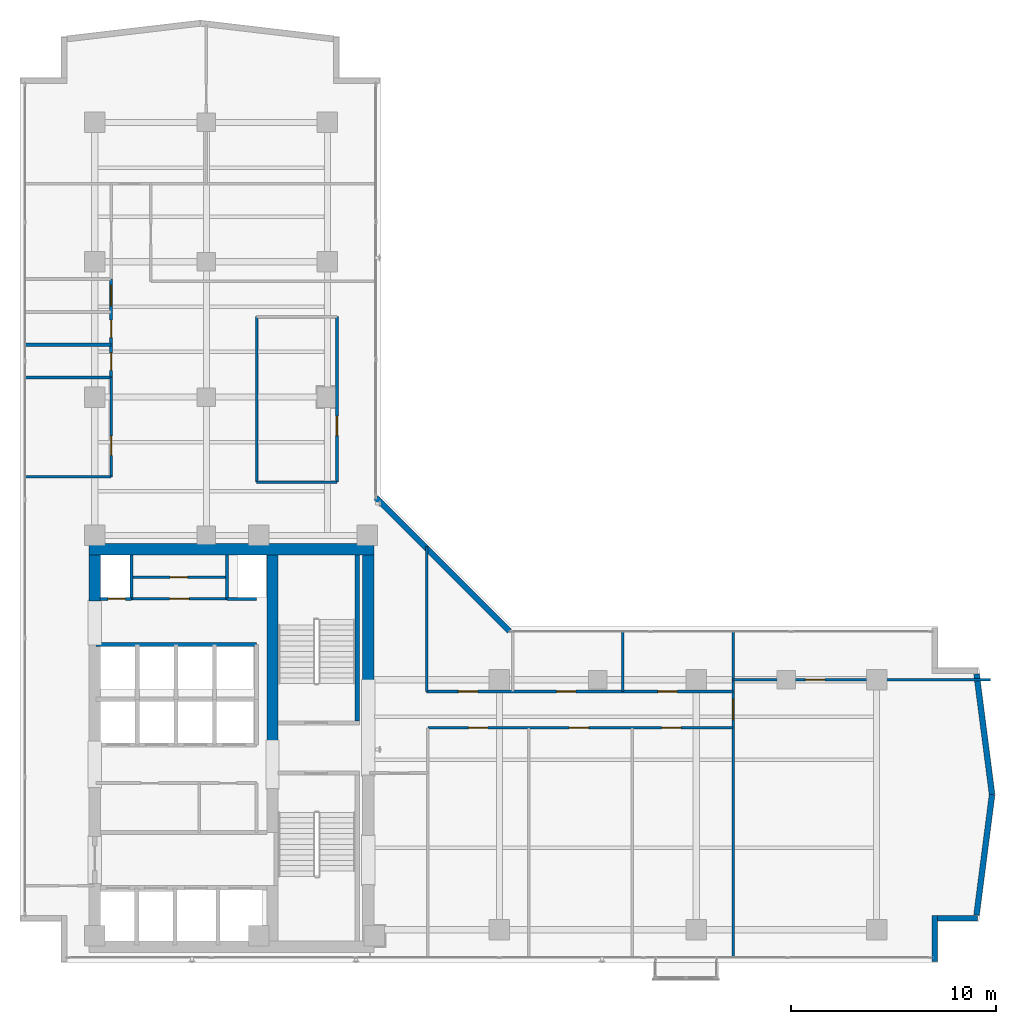
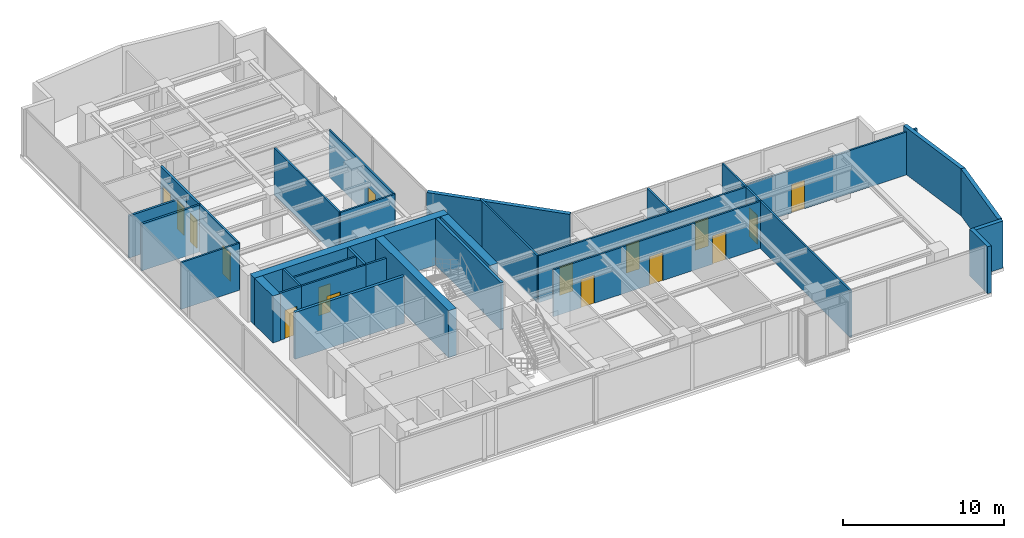
# One storey, part 18 of 24: 31 walls, 16 doors, 16 openings.
"""IFC4 building model written with IfcOpenShell, lengths in metres."""

from ifc_helpers import new_model, si_unit, direction, frame, frame_2d, origin, place, context, subcontext, project, spatial, rectangle, extrude, material, layer, layer_set, type_object, element, fill, save


model = new_model("IFC4")

# Units and contexts
model_context = context("Model", 3, precision=1e-05, world=origin(), true_north=direction((0.0, 1.0)))
body_context = subcontext(model_context, "Body", "Model", "MODEL_VIEW")
ifc_project = project(units=[si_unit("LENGTHUNIT", "METRE"), si_unit("AREAUNIT", "SQUARE_METRE"), si_unit("VOLUMEUNIT", "CUBIC_METRE"), si_unit("PLANEANGLEUNIT", "RADIAN"), si_unit("MASSUNIT", "GRAM", prefix="KILO")], contexts=[model_context])

# Site, building, storey
site_placement = place(None, origin())
site = spatial("IfcSite", under=ifc_project, at=site_placement, CompositionType="ELEMENT")
building_placement = place(site_placement, origin())
building = spatial("IfcBuilding", under=site, at=building_placement, Name="Kolvaren Waterfront Exchange", CompositionType="ELEMENT")
storey_placement = place(building_placement, frame((0.0, 0.0, 208.300048828125)))
storey = spatial("IfcBuildingStorey", under=building, at=storey_placement, Name="L53", CompositionType="ELEMENT", Elevation=208.300048828125)

# Walls
ifc_material_1 = material(Name="Precast concrete C40/50", Category="concrete")
ifc_layer_1 = layer(ifc_material_1, 0.280029296875, Name="Precast concrete C40/50")
ifc_layer_set_1 = layer_set([ifc_layer_1], Name="Precast concrete C40/50")
wall_type_1 = type_object("IfcWallType", Name="ARC-EXT-TERR-280", PredefinedType="SOLIDWALL", material=ifc_layer_set_1)
wall_1_placement = place(storey_placement, frame((48.43994140625, 3.659912109375, 0.0), z_axis=(0.0, 0.0, 1.0), x_axis=(0.0, 1.0, 0.0)))
element("IfcWall", 1, at=wall_1_placement, inside=storey, type_object=wall_type_1, Name="L53 notched corner spandrel pier SE-A", PredefinedType="SOLIDWALL", context=body_context, shape_type="SweptSolid", body=[
    extrude(rectangle(XDim=2.239990234375, YDim=0.280029296875, at=frame_2d((1.1201171875, 0.0))), origin(), (0.0, 0.0, 1.0), 3.56005859375),
])
wall_2_placement = place(storey_placement, frame((48.580078125, 5.760009765625, 0.0), z_axis=(0.0, 0.0, 1.0), x_axis=(1.0, 0.0, 0.0)))
element("IfcWall", 2, at=wall_2_placement, inside=storey, type_object=wall_type_1, Name="L53 notched corner spandrel pier SE-B", PredefinedType="SOLIDWALL", context=body_context, shape_type="SweptSolid", body=[
    extrude(rectangle(XDim=1.9599609375, YDim=0.280029296875, at=frame_2d((0.97998046875, 0.0))), origin(), (0.0, 0.0, 1.0), 3.56005859375),
])
wall_3_placement = place(storey_placement, frame((27.68505859375, 19.77490234375, 0.0), z_axis=(0.0, 0.0, 1.0), x_axis=(-0.707106781187, 0.707106781187, 0.0)))
element("IfcWall", 3, at=wall_3_placement, inside=storey, type_object=wall_type_1, Name="L53 notched corner spandrel pier ELBOW", PredefinedType="SOLIDWALL", context=body_context, shape_type="SweptSolid", body=[
    extrude(rectangle(XDim=9.20654296875, YDim=0.280029296875, at=frame_2d((4.603271484375, 0.0))), origin(), (0.0, 0.0, 1.0), 3.56005859375),
])
for number, where, z_axis, x_axis, name in (
    (4, (50.479736328125, 5.91796875, 0.0), (0.0, 0.0, 1.0), (0.127970031595, 0.991778035154, 0.0), "L53 east prow faceted facade wall 1"),
    (5, (51.23876953125, 11.79931640625, 0.0), (0.0, 0.0, 1.0), (-0.127970031595, 0.991778035154, 0.0), "L53 east prow faceted facade wall 2"),
):
    element("IfcWall", number, at=place(storey_placement, frame(where, z_axis=z_axis, x_axis=x_axis)), inside=storey, type_object=wall_type_1, Name=name, PredefinedType="SOLIDWALL", context=body_context, shape_type="SweptSolid", body=[
        extrude(rectangle(XDim=5.931396484375, YDim=0.280029296875, at=frame_2d((2.9658203125, 0.0))), origin(), (0.0, 0.0, 1.0), 3.56005859375),
    ])

# Wall, opening, door
ifc_material_2 = material(Name="Acoustic gypsum steel stud", Category="steel")
ifc_layer_2 = layer(ifc_material_2, 0.125, Name="Acoustic gypsum steel stud")
ifc_layer_set_2 = layer_set([ifc_layer_2], Name="Acoustic gypsum steel stud")
wall_type_2 = type_object("IfcWallType", Name="ARC-PART-125", PredefinedType="PARTITIONING", material=ifc_layer_set_2)
wall_4_placement = place(storey_placement, frame((9.25, 21.35009765625, 0.0), z_axis=(0.0, 0.0, 1.0), x_axis=(1.0, 0.0, 0.0)))
wall_4 = element("IfcWall", 6, at=wall_4_placement, inside=storey, type_object=wall_type_2, Name="L53 interior wall PW-L53-SVC-EX-S", PredefinedType="PARTITIONING", context=body_context, shape_type="SweptSolid", body=[
    extrude(rectangle(XDim=4.64990234375, YDim=0.125, at=frame_2d((2.324951171875, 0.0))), origin(), (0.0, 0.0, 1.0), 3.56005859375),
])
opening_1_placement = place(wall_4_placement, frame((1.85009765625, 0.0, 0.0)))
opening_1 = element("IfcOpeningElement", 7, at=opening_1_placement, cuts=wall_4, Name="Opening D02", PredefinedType="OPENING", context=body_context, shape_type="SweptSolid", body=[
    extrude(rectangle(XDim=0.949951171875, YDim=2.14990234375, at=frame_2d((0.47509765625, 1.074951171875))), frame((0.0, 0.072509765625, 0.0), z_axis=(0.0, -1.0, 0.0), x_axis=(1.0, 0.0, 0.0)), (0.0, 0.0, 1.0), 0.14501953125),
])
ifc_material_3 = material(Name="Oak veneer acoustic timber", Category="wood")
door_type_1 = type_object("IfcDoorType", Name="ARC-DR-950", OperationType="NOTDEFINED", PredefinedType="DOOR", material=ifc_material_3)
door_1_placement = place(opening_1_placement, origin())
door_1 = element("IfcDoor", 8, at=door_1_placement, inside=storey, type_object=door_type_1, Name="L53 door DR-L53-SVC-DR-1 (D02)", OperationType="SINGLE_SWING_LEFT", OverallHeight=2.14990234375, OverallWidth=0.949951171875, PredefinedType="DOOR", context=body_context, shape_type="SweptSolid", body=[
    extrude(rectangle(XDim=0.949951171875, YDim=2.14990234375, at=frame_2d((0.47509765625, 1.074951171875))), frame((0.0, 0.02490234375, 0.0), z_axis=(0.0, -1.0, 0.0), x_axis=(1.0, 0.0, 0.0)), (0.0, 0.0, 1.0), 0.050048828125),
])
fill(opening_1, door_1)

wall_5_placement = place(storey_placement, frame((9.25, 22.39990234375, 0.0), z_axis=(0.0, 0.0, 1.0), x_axis=(1.0, 0.0, 0.0)))
wall_5 = element("IfcWall", 9, at=wall_5_placement, inside=storey, type_object=wall_type_2, Name="L53 interior wall PW-L53-SVC-EX-HS", PredefinedType="PARTITIONING", context=body_context, shape_type="SweptSolid", body=[
    extrude(rectangle(XDim=4.64990234375, YDim=0.125, at=frame_2d((2.324951171875, 0.0))), origin(), (0.0, 0.0, 1.0), 3.56005859375),
])
opening_2_placement = place(wall_5_placement, frame((1.875, 0.0, 0.0)))
opening_2 = element("IfcOpeningElement", 10, at=opening_2_placement, cuts=wall_5, Name="Opening D01", PredefinedType="OPENING", context=body_context, shape_type="SweptSolid", body=[
    extrude(rectangle(XDim=0.85009765625, YDim=2.14990234375, at=frame_2d((0.425048828125, 1.074951171875))), frame((0.0, 0.072509765625, 0.0), z_axis=(0.0, -1.0, 0.0), x_axis=(1.0, 0.0, 0.0)), (0.0, 0.0, 1.0), 0.14501953125),
])
ifc_material_4 = material(Name="Oak veneer timber leaf", Category="wood")
door_type_2 = type_object("IfcDoorType", Name="ARC-DR-900", OperationType="NOTDEFINED", PredefinedType="DOOR", material=ifc_material_4)
door_2_placement = place(opening_2_placement, origin())
door_2 = element("IfcDoor", 11, at=door_2_placement, inside=storey, type_object=door_type_2, Name="L53 door DR-L53-SVC-DR-2 (D01)", OperationType="SINGLE_SWING_RIGHT", OverallHeight=2.14990234375, OverallWidth=0.85009765625, PredefinedType="DOOR", context=body_context, shape_type="SweptSolid", body=[
    extrude(rectangle(XDim=0.85009765625, YDim=2.14990234375, at=frame_2d((0.425048828125, 1.074951171875))), frame((0.0, 0.02490234375, 0.0), z_axis=(0.0, -1.0, 0.0), x_axis=(1.0, 0.0, 0.0)), (0.0, 0.0, 1.0), 0.050048828125),
])
fill(opening_2, door_2)

# Walls
wall_6_placement = place(storey_placement, frame((15.35009765625, 27.050048828125, 0.0), z_axis=(0.0, 0.0, 1.0), x_axis=(1.0, 0.0, 0.0)))
element("IfcWall", 12, at=wall_6_placement, inside=storey, type_object=wall_type_2, Name="L53 interior wall PW-L53-ISL-S", PredefinedType="PARTITIONING", context=body_context, shape_type="SweptSolid", body=[
    extrude(rectangle(XDim=3.919921875, YDim=0.125, at=frame_2d((1.9599609375, 0.0))), origin(), (0.0, 0.0, 1.0), 3.56005859375),
])
wall_7_placement = place(storey_placement, frame((15.35009765625, 27.050048828125, 0.0), z_axis=(0.0, 0.0, 1.0), x_axis=(0.0, 1.0, 0.0)))
element("IfcWall", 13, at=wall_7_placement, inside=storey, type_object=wall_type_2, Name="L53 interior wall PW-L53-ISL-W", PredefinedType="PARTITIONING", context=body_context, shape_type="SweptSolid", body=[
    extrude(rectangle(XDim=8.070068359375, YDim=0.125, at=frame_2d((4.03515625, 0.0))), origin(), (0.0, 0.0, 1.0), 3.56005859375),
])

# Wall, opening, door
wall_8_placement = place(storey_placement, frame((19.27001953125, 27.050048828125, 0.0), z_axis=(0.0, 0.0, 1.0), x_axis=(0.0, 1.0, 0.0)))
wall_8 = element("IfcWall", 14, at=wall_8_placement, inside=storey, type_object=wall_type_2, Name="L53 interior wall PW-L53-ISL-E", PredefinedType="PARTITIONING", context=body_context, shape_type="SweptSolid", body=[
    extrude(rectangle(XDim=8.070068359375, YDim=0.125, at=frame_2d((4.03515625, 0.0))), origin(), (0.0, 0.0, 1.0), 3.56005859375),
])
opening_3_placement = place(wall_8_placement, frame((2.27001953125, 0.0, 0.0)))
opening_3 = element("IfcOpeningElement", 15, at=opening_3_placement, cuts=wall_8, Name="Opening D02", PredefinedType="OPENING", context=body_context, shape_type="SweptSolid", body=[
    extrude(rectangle(XDim=0.949951171875, YDim=2.14990234375, at=frame_2d((0.47509765625, 1.074951171875))), frame((0.0, 0.072509765625, 0.0), z_axis=(0.0, -1.0, 0.0), x_axis=(1.0, 0.0, 0.0)), (0.0, 0.0, 1.0), 0.14501953125),
])
door_3_placement = place(opening_3_placement, origin())
door_3 = element("IfcDoor", 16, at=door_3_placement, inside=storey, type_object=door_type_1, Name="L53 door DR-L53-ISL-D (D02)", OperationType="SINGLE_SWING_LEFT", OverallHeight=2.14990234375, OverallWidth=0.949951171875, PredefinedType="DOOR", context=body_context, shape_type="SweptSolid", body=[
    extrude(rectangle(XDim=0.949951171875, YDim=2.14990234375, at=frame_2d((0.47509765625, 1.074951171875))), frame((0.0, 0.02490234375, 0.0), z_axis=(0.0, -1.0, 0.0), x_axis=(1.0, 0.0, 0.0)), (0.0, 0.0, 1.0), 0.050048828125),
])
fill(opening_3, door_3)

wall_9_placement = place(storey_placement, frame((8.25, 27.300048828125, 0.0), z_axis=(0.0, 0.0, 1.0), x_axis=(0.0, 1.0, 0.0)))
wall_9 = element("IfcWall", 17, at=wall_9_placement, inside=storey, type_object=wall_type_2, Name="L53 interior wall PW-L53-PREWC-E", PredefinedType="PARTITIONING", context=body_context, shape_type="SweptSolid", body=[
    extrude(rectangle(XDim=4.849853515625, YDim=0.125, at=frame_2d((2.4248046875, 0.0))), origin(), (0.0, 0.0, 1.0), 3.56005859375),
])
opening_4_placement = place(wall_9_placement, frame((1.050048828125, 0.0, 0.0)))
opening_4 = element("IfcOpeningElement", 18, at=opening_4_placement, cuts=wall_9, Name="Opening D02", PredefinedType="OPENING", context=body_context, shape_type="SweptSolid", body=[
    extrude(rectangle(XDim=0.949951171875, YDim=2.14990234375, at=frame_2d((0.47509765625, 1.074951171875))), frame((0.0, 0.072509765625, 0.0), z_axis=(0.0, -1.0, 0.0), x_axis=(1.0, 0.0, 0.0)), (0.0, 0.0, 1.0), 0.14501953125),
])
door_4_placement = place(opening_4_placement, origin())
door_4 = element("IfcDoor", 19, at=door_4_placement, inside=storey, type_object=door_type_1, Name="L53 door DR-L53-PREWC-D (D02)", OperationType="SINGLE_SWING_RIGHT", OverallHeight=2.14990234375, OverallWidth=0.949951171875, PredefinedType="DOOR", context=body_context, shape_type="SweptSolid", body=[
    extrude(rectangle(XDim=0.949951171875, YDim=2.14990234375, at=frame_2d((0.47509765625, 1.074951171875))), frame((0.0, 0.02490234375, 0.0), z_axis=(0.0, -1.0, 0.0), x_axis=(1.0, 0.0, 0.0)), (0.0, 0.0, 1.0), 0.050048828125),
])
fill(opening_4, door_4)

# Wall
wall_10_placement = place(storey_placement, frame((4.0400390625, 27.300048828125, 0.0), z_axis=(0.0, 0.0, 1.0), x_axis=(1.0, 0.0, 0.0)))
element("IfcWall", 20, at=wall_10_placement, inside=storey, type_object=wall_type_2, Name="L53 interior wall PW-L53-PREWC-S", PredefinedType="PARTITIONING", context=body_context, shape_type="SweptSolid", body=[
    extrude(rectangle(XDim=4.2099609375, YDim=0.125, at=frame_2d((2.10498046875, 0.0))), origin(), (0.0, 0.0, 1.0), 3.56005859375),
])

# Wall, openings, doors
wall_11_placement = place(storey_placement, frame((23.699951171875, 15.050048828125, 0.0), z_axis=(0.0, 0.0, 1.0), x_axis=(1.0, 0.0, 0.0)))
wall_11 = element("IfcWall", 21, at=wall_11_placement, inside=storey, type_object=wall_type_2, Name="L53 interior wall PW-L53-ES-CORR", PredefinedType="PARTITIONING", context=body_context, shape_type="SweptSolid", body=[
    extrude(rectangle(XDim=14.900146484375, YDim=0.125, at=frame_2d((7.4501953125, 0.0))), origin(), (0.0, 0.0, 1.0), 3.56005859375),
])
opening_5_placement = place(wall_11_placement, frame((1.985107421875, 0.0, 0.0)))
opening_5 = element("IfcOpeningElement", 22, at=opening_5_placement, cuts=wall_11, Name="Opening D02", PredefinedType="OPENING", context=body_context, shape_type="SweptSolid", body=[
    extrude(rectangle(XDim=0.949951171875, YDim=2.14990234375, at=frame_2d((0.47509765625, 1.074951171875))), frame((0.0, 0.072509765625, 0.0), z_axis=(0.0, -1.0, 0.0), x_axis=(1.0, 0.0, 0.0)), (0.0, 0.0, 1.0), 0.14501953125),
])
opening_6_placement = place(wall_11_placement, frame((6.903076171875, 0.0, 0.0)))
opening_6 = element("IfcOpeningElement", 23, at=opening_6_placement, cuts=wall_11, Name="Opening D02", PredefinedType="OPENING", context=body_context, shape_type="SweptSolid", body=[
    extrude(rectangle(XDim=0.949951171875, YDim=2.14990234375, at=frame_2d((0.47509765625, 1.074951171875))), frame((0.0, 0.072509765625, 0.0), z_axis=(0.0, -1.0, 0.0), x_axis=(1.0, 0.0, 0.0)), (0.0, 0.0, 1.0), 0.14501953125),
])
opening_7_placement = place(wall_11_placement, frame((11.416015625, 0.0, 0.0)))
opening_7 = element("IfcOpeningElement", 24, at=opening_7_placement, cuts=wall_11, Name="Opening D02", PredefinedType="OPENING", context=body_context, shape_type="SweptSolid", body=[
    extrude(rectangle(XDim=0.949951171875, YDim=2.14990234375, at=frame_2d((0.47509765625, 1.074951171875))), frame((0.0, 0.072509765625, 0.0), z_axis=(0.0, -1.0, 0.0), x_axis=(1.0, 0.0, 0.0)), (0.0, 0.0, 1.0), 0.14501953125),
])
door_5_placement = place(opening_5_placement, origin())
door_5 = element("IfcDoor", 25, at=door_5_placement, inside=storey, type_object=door_type_1, Name="L53 door DR-L53-ES-D-1 (D02)", OperationType="SINGLE_SWING_RIGHT", OverallHeight=2.14990234375, OverallWidth=0.949951171875, PredefinedType="DOOR", context=body_context, shape_type="SweptSolid", body=[
    extrude(rectangle(XDim=0.949951171875, YDim=2.14990234375, at=frame_2d((0.47509765625, 1.074951171875))), frame((0.0, 0.02490234375, 0.0), z_axis=(0.0, -1.0, 0.0), x_axis=(1.0, 0.0, 0.0)), (0.0, 0.0, 1.0), 0.050048828125),
])
fill(opening_5, door_5)
door_6_placement = place(opening_6_placement, origin())
door_6 = element("IfcDoor", 26, at=door_6_placement, inside=storey, type_object=door_type_1, Name="L53 door DR-L53-ES-D-2 (D02)", OperationType="SINGLE_SWING_LEFT", OverallHeight=2.14990234375, OverallWidth=0.949951171875, PredefinedType="DOOR", context=body_context, shape_type="SweptSolid", body=[
    extrude(rectangle(XDim=0.949951171875, YDim=2.14990234375, at=frame_2d((0.47509765625, 1.074951171875))), frame((0.0, 0.02490234375, 0.0), z_axis=(0.0, -1.0, 0.0), x_axis=(1.0, 0.0, 0.0)), (0.0, 0.0, 1.0), 0.050048828125),
])
fill(opening_6, door_6)
door_7_placement = place(opening_7_placement, origin())
door_7 = element("IfcDoor", 27, at=door_7_placement, inside=storey, type_object=door_type_1, Name="L53 door DR-L53-ES-D-3 (D02)", OperationType="SINGLE_SWING_RIGHT", OverallHeight=2.14990234375, OverallWidth=0.949951171875, PredefinedType="DOOR", context=body_context, shape_type="SweptSolid", body=[
    extrude(rectangle(XDim=0.949951171875, YDim=2.14990234375, at=frame_2d((0.47509765625, 1.074951171875))), frame((0.0, 0.02490234375, 0.0), z_axis=(0.0, -1.0, 0.0), x_axis=(1.0, 0.0, 0.0)), (0.0, 0.0, 1.0), 0.050048828125),
])
fill(opening_7, door_7)

# Wall, opening, door
wall_12_placement = place(storey_placement, frame((38.60009765625, 3.840087890625, 0.0), z_axis=(0.0, 0.0, 1.0), x_axis=(0.0, 1.0, 0.0)))
wall_12 = element("IfcWall", 28, at=wall_12_placement, inside=storey, type_object=wall_type_2, Name="L53 interior wall PW-L53-ETIP-W", PredefinedType="PARTITIONING", context=body_context, shape_type="SweptSolid", body=[
    extrude(rectangle(XDim=15.919921875, YDim=0.125, at=frame_2d((7.9599609375, 0.0))), origin(), (0.0, 0.0, 1.0), 3.56005859375),
])
opening_8_placement = place(wall_12_placement, frame((11.60009765625, 0.0, 0.0)))
opening_8 = element("IfcOpeningElement", 29, at=opening_8_placement, cuts=wall_12, Name="Opening D03", PredefinedType="OPENING", context=body_context, shape_type="SweptSolid", body=[
    extrude(rectangle(XDim=1.0, YDim=2.199951171875, at=frame_2d((0.5, 1.10009765625))), frame((0.0, 0.072509765625, 0.0), z_axis=(0.0, -1.0, 0.0), x_axis=(1.0, 0.0, 0.0)), (0.0, 0.0, 1.0), 0.14501953125),
])
ifc_material_5 = material(Name="Oak veneer accessible timber", Category="wood")
door_type_3 = type_object("IfcDoorType", Name="ARC-DR-1000", OperationType="NOTDEFINED", PredefinedType="DOOR", material=ifc_material_5)
door_8_placement = place(opening_8_placement, origin())
door_8 = element("IfcDoor", 30, at=door_8_placement, inside=storey, type_object=door_type_3, Name="L53 door DR-L53-ETIP1-D (D03)", OperationType="SINGLE_SWING_LEFT", OverallHeight=2.199951171875, OverallWidth=1.0, PredefinedType="DOOR", context=body_context, shape_type="SweptSolid", body=[
    extrude(rectangle(XDim=1.0, YDim=2.199951171875, at=frame_2d((0.5, 1.10009765625))), frame((0.0, 0.02490234375, 0.0), z_axis=(0.0, -1.0, 0.0), x_axis=(1.0, 0.0, 0.0)), (0.0, 0.0, 1.0), 0.050048828125),
])
fill(opening_8, door_8)

wall_13_placement = place(storey_placement, frame((38.60009765625, 17.39990234375, 0.0), z_axis=(0.0, 0.0, 1.0), x_axis=(1.0, 0.0, 0.0)))
wall_13 = element("IfcWall", 31, at=wall_13_placement, inside=storey, type_object=wall_type_2, Name="L53 interior wall PW-L53-ETIP-MID", PredefinedType="PARTITIONING", context=body_context, shape_type="SweptSolid", body=[
    extrude(rectangle(XDim=12.559814453125, YDim=0.125, at=frame_2d((6.27978515625, 0.0))), origin(), (0.0, 0.0, 1.0), 3.260009765625),
])
opening_9_placement = place(wall_13_placement, frame((3.52490234375, 0.0, 0.0)))
opening_9 = element("IfcOpeningElement", 32, at=opening_9_placement, cuts=wall_13, Name="Opening D02", PredefinedType="OPENING", context=body_context, shape_type="SweptSolid", body=[
    extrude(rectangle(XDim=0.949951171875, YDim=2.14990234375, at=frame_2d((0.47509765625, 1.074951171875))), frame((0.0, 0.072509765625, 0.0), z_axis=(0.0, -1.0, 0.0), x_axis=(1.0, 0.0, 0.0)), (0.0, 0.0, 1.0), 0.14501953125),
])
door_9_placement = place(opening_9_placement, origin())
door_9 = element("IfcDoor", 33, at=door_9_placement, inside=storey, type_object=door_type_1, Name="L53 door DR-L53-ETIP2-D (D02)", OperationType="SINGLE_SWING_RIGHT", OverallHeight=2.14990234375, OverallWidth=0.949951171875, PredefinedType="DOOR", context=body_context, shape_type="SweptSolid", body=[
    extrude(rectangle(XDim=0.949951171875, YDim=2.14990234375, at=frame_2d((0.47509765625, 1.074951171875))), frame((0.0, 0.02490234375, 0.0), z_axis=(0.0, -1.0, 0.0), x_axis=(1.0, 0.0, 0.0)), (0.0, 0.0, 1.0), 0.050048828125),
])
fill(opening_9, door_9)

# Wall
wall_14_placement = place(storey_placement, frame((23.64990234375, 16.830078125, 0.0), z_axis=(0.0, 0.0, 1.0), x_axis=(0.0, 1.0, 0.0)))
element("IfcWall", 34, at=wall_14_placement, inside=storey, type_object=wall_type_2, Name="L53 interior wall PW-L53-EN-W0", PredefinedType="PARTITIONING", context=body_context, shape_type="SweptSolid", body=[
    extrude(rectangle(XDim=7.079833984375, YDim=0.125, at=frame_2d((3.5400390625, 0.0))), origin(), (0.0, 0.0, 1.0), 3.56005859375),
])

# Wall, openings, doors
wall_15_placement = place(storey_placement, frame((23.64990234375, 16.830078125, 0.0), z_axis=(0.0, 0.0, 1.0), x_axis=(1.0, 0.0, 0.0)))
wall_15 = element("IfcWall", 35, at=wall_15_placement, inside=storey, type_object=wall_type_2, Name="L53 interior wall PW-L53-EN-CORR", PredefinedType="PARTITIONING", context=body_context, shape_type="SweptSolid", body=[
    extrude(rectangle(XDim=14.9501953125, YDim=0.125, at=frame_2d((7.47509765625, 0.0))), origin(), (0.0, 0.0, 1.0), 3.56005859375),
])
opening_10_placement = place(wall_15_placement, frame((1.548095703125, 0.0, 0.0)))
opening_10 = element("IfcOpeningElement", 36, at=opening_10_placement, cuts=wall_15, Name="Opening D02", PredefinedType="OPENING", context=body_context, shape_type="SweptSolid", body=[
    extrude(rectangle(XDim=0.949951171875, YDim=2.14990234375, at=frame_2d((0.47509765625, 1.074951171875))), frame((0.0, 0.072509765625, 0.0), z_axis=(0.0, -1.0, 0.0), x_axis=(1.0, 0.0, 0.0)), (0.0, 0.0, 1.0), 0.14501953125),
])
opening_11_placement = place(wall_15_placement, frame((6.33251953125, 0.0, 0.0)))
opening_11 = element("IfcOpeningElement", 37, at=opening_11_placement, cuts=wall_15, Name="Opening D02", PredefinedType="OPENING", context=body_context, shape_type="SweptSolid", body=[
    extrude(rectangle(XDim=0.949951171875, YDim=2.14990234375, at=frame_2d((0.47509765625, 1.074951171875))), frame((0.0, 0.072509765625, 0.0), z_axis=(0.0, -1.0, 0.0), x_axis=(1.0, 0.0, 0.0)), (0.0, 0.0, 1.0), 0.14501953125),
])
opening_12_placement = place(wall_15_placement, frame((11.27685546875, 0.0, 0.0)))
opening_12 = element("IfcOpeningElement", 38, at=opening_12_placement, cuts=wall_15, Name="Opening D02", PredefinedType="OPENING", context=body_context, shape_type="SweptSolid", body=[
    extrude(rectangle(XDim=0.949951171875, YDim=2.14990234375, at=frame_2d((0.47509765625, 1.074951171875))), frame((0.0, 0.072509765625, 0.0), z_axis=(0.0, -1.0, 0.0), x_axis=(1.0, 0.0, 0.0)), (0.0, 0.0, 1.0), 0.14501953125),
])
door_10_placement = place(opening_10_placement, origin())
door_10 = element("IfcDoor", 39, at=door_10_placement, inside=storey, type_object=door_type_1, Name="L53 door DR-L53-EN-D-1 (D02)", OperationType="SINGLE_SWING_LEFT", OverallHeight=2.14990234375, OverallWidth=0.949951171875, PredefinedType="DOOR", context=body_context, shape_type="SweptSolid", body=[
    extrude(rectangle(XDim=0.949951171875, YDim=2.14990234375, at=frame_2d((0.47509765625, 1.074951171875))), frame((0.0, 0.02490234375, 0.0), z_axis=(0.0, -1.0, 0.0), x_axis=(1.0, 0.0, 0.0)), (0.0, 0.0, 1.0), 0.050048828125),
])
fill(opening_10, door_10)
door_11_placement = place(opening_11_placement, origin())
door_11 = element("IfcDoor", 40, at=door_11_placement, inside=storey, type_object=door_type_1, Name="L53 door DR-L53-EN-D-2 (D02)", OperationType="SINGLE_SWING_RIGHT", OverallHeight=2.14990234375, OverallWidth=0.949951171875, PredefinedType="DOOR", context=body_context, shape_type="SweptSolid", body=[
    extrude(rectangle(XDim=0.949951171875, YDim=2.14990234375, at=frame_2d((0.47509765625, 1.074951171875))), frame((0.0, 0.02490234375, 0.0), z_axis=(0.0, -1.0, 0.0), x_axis=(1.0, 0.0, 0.0)), (0.0, 0.0, 1.0), 0.050048828125),
])
fill(opening_11, door_11)
door_12_placement = place(opening_12_placement, origin())
door_12 = element("IfcDoor", 41, at=door_12_placement, inside=storey, type_object=door_type_1, Name="L53 door DR-L53-EN-D-3 (D02)", OperationType="SINGLE_SWING_LEFT", OverallHeight=2.14990234375, OverallWidth=0.949951171875, PredefinedType="DOOR", context=body_context, shape_type="SweptSolid", body=[
    extrude(rectangle(XDim=0.949951171875, YDim=2.14990234375, at=frame_2d((0.47509765625, 1.074951171875))), frame((0.0, 0.02490234375, 0.0), z_axis=(0.0, -1.0, 0.0), x_axis=(1.0, 0.0, 0.0)), (0.0, 0.0, 1.0), 0.050048828125),
])
fill(opening_12, door_12)

# Walls
wall_16_placement = place(storey_placement, frame((33.219970703125, 16.830078125, 0.0), z_axis=(0.0, 0.0, 1.0), x_axis=(0.0, 1.0, 0.0)))
element("IfcWall", 42, at=wall_16_placement, inside=storey, type_object=wall_type_2, Name="L53 interior wall PW-L53-EN-DIV-2", PredefinedType="PARTITIONING", context=body_context, shape_type="SweptSolid", body=[
    extrude(rectangle(XDim=2.929931640625, YDim=0.125, at=frame_2d((1.46484375, 0.0))), origin(), (0.0, 0.0, 1.0), 3.56005859375),
])
ifc_material_6 = material(Name="Gypsum fireboard steel stud", Category="steel")
ifc_layer_3 = layer(ifc_material_6, 0.14990234375, Name="Gypsum fireboard steel stud")
ifc_layer_set_3 = layer_set([ifc_layer_3], Name="Gypsum fireboard steel stud")
wall_type_3 = type_object("IfcWallType", Name="ARC-PART-150", PredefinedType="PARTITIONING", material=ifc_layer_set_3)
for number, where, z_axis, x_axis, name in (
    (43, (9.25, 21.35009765625, 0.0), (0.0, 0.0, 1.0), (0.0, 1.0, 0.0), "L53 interior wall PW-L53-SVC-R1"),
    (44, (13.89990234375, 21.35009765625, 0.0), (0.0, 0.0, 1.0), (0.0, 1.0, 0.0), "L53 interior wall PW-L53-SVC-R2"),
):
    element("IfcWall", number, at=place(storey_placement, frame(where, z_axis=z_axis, x_axis=x_axis)), inside=storey, type_object=wall_type_3, Name=name, PredefinedType="PARTITIONING", context=body_context, shape_type="SweptSolid", body=[
        extrude(rectangle(XDim=2.1298828125, YDim=0.14990234375, at=frame_2d((1.06494140625, 0.0))), origin(), (0.0, 0.0, 1.0), 3.56005859375),
    ])

# Wall, opening, door
wall_17_placement = place(storey_placement, frame((7.699951171875, 21.35009765625, 0.0), z_axis=(0.0, 0.0, 1.0), x_axis=(1.0, 0.0, 0.0)))
wall_17 = element("IfcWall", 45, at=wall_17_placement, inside=storey, type_object=wall_type_3, Name="L53 interior wall PW-L53-SVC-RE-S", PredefinedType="PARTITIONING", context=body_context, shape_type="SweptSolid", body=[
    extrude(rectangle(XDim=1.550048828125, YDim=0.14990234375, at=frame_2d((0.77490234375, 0.0))), origin(), (0.0, 0.0, 1.0), 3.56005859375),
])
opening_13_placement = place(wall_17_placement, frame((0.389892578125, 0.0, 0.0)))
opening_13 = element("IfcOpeningElement", 46, at=opening_13_placement, cuts=wall_17, Name="Opening FD1", PredefinedType="OPENING", context=body_context, shape_type="SweptSolid", body=[
    extrude(rectangle(XDim=0.85009765625, YDim=2.14990234375, at=frame_2d((0.425048828125, 1.074951171875))), frame((0.0, 0.0849609375, 0.0), z_axis=(0.0, -1.0, 0.0), x_axis=(1.0, 0.0, 0.0)), (0.0, 0.0, 1.0), 0.169921875),
])
ifc_material_7 = material(Name="Pressed steel fire leaf", Category="steel")
door_type_4 = type_object("IfcDoorType", Name="ARC-FD-900", OperationType="NOTDEFINED", PredefinedType="DOOR", material=ifc_material_7)
door_13_placement = place(opening_13_placement, origin())
door_13 = element("IfcDoor", 47, at=door_13_placement, inside=storey, type_object=door_type_4, Name="L53 door DR-L53-RISER-E-DR (FD1)", OperationType="SINGLE_SWING_RIGHT", OverallHeight=2.14990234375, OverallWidth=0.85009765625, PredefinedType="DOOR", context=body_context, shape_type="SweptSolid", body=[
    extrude(rectangle(XDim=0.85009765625, YDim=2.14990234375, at=frame_2d((0.425048828125, 1.074951171875))), frame((0.0, 0.02490234375, 0.0), z_axis=(0.0, -1.0, 0.0), x_axis=(1.0, 0.0, 0.0)), (0.0, 0.0, 1.0), 0.050048828125),
])
fill(opening_13, door_13)

# Walls
wall_18_placement = place(storey_placement, frame((13.89990234375, 21.35009765625, 0.0), z_axis=(0.0, 0.0, 1.0), x_axis=(1.0, 0.0, 0.0)))
element("IfcWall", 48, at=wall_18_placement, inside=storey, type_object=wall_type_3, Name="L53 interior wall PW-L53-SVC-RP-S", PredefinedType="PARTITIONING", context=body_context, shape_type="SweptSolid", body=[
    extrude(rectangle(XDim=1.4501953125, YDim=0.14990234375, at=frame_2d((0.72509765625, 0.0))), origin(), (0.0, 0.0, 1.0), 3.56005859375),
])
ifc_material_8 = material(Name="Moisture-resistant gypsum stud")
ifc_layer_4 = layer(ifc_material_8, 0.14990234375, Name="Moisture-resistant gypsum stud")
ifc_layer_set_4 = layer_set([ifc_layer_4], Name="Moisture-resistant gypsum stud")
wall_type_4 = type_object("IfcWallType", Name="ARC-PLUMB-150", PredefinedType="PLUMBINGWALL", material=ifc_layer_set_4)
wall_19_placement = place(storey_placement, frame((4.0400390625, 32.14990234375, 0.0), z_axis=(0.0, 0.0, 1.0), x_axis=(1.0, 0.0, 0.0)))
element("IfcWall", 49, at=wall_19_placement, inside=storey, type_object=wall_type_4, Name="L53 interior wall PW-L53-WC-0", PredefinedType="PLUMBINGWALL", context=body_context, shape_type="SweptSolid", body=[
    extrude(rectangle(XDim=4.2099609375, YDim=0.14990234375, at=frame_2d((2.10498046875, 0.0))), origin(), (0.0, 0.0, 1.0), 3.56005859375),
])

# Wall, openings, doors
wall_20_placement = place(storey_placement, frame((8.25, 32.14990234375, 0.0), z_axis=(0.0, 0.0, 1.0), x_axis=(0.0, 1.0, 0.0)))
wall_20 = element("IfcWall", 50, at=wall_20_placement, inside=storey, type_object=wall_type_4, Name="L53 interior wall PW-L53-WC-E", PredefinedType="PLUMBINGWALL", context=body_context, shape_type="SweptSolid", body=[
    extrude(rectangle(XDim=4.800048828125, YDim=0.14990234375, at=frame_2d((2.39990234375, 0.0))), origin(), (0.0, 0.0, 1.0), 3.56005859375),
])
opening_14_placement = place(wall_20_placement, frame((0.35009765625, 0.0, 0.0)))
opening_14 = element("IfcOpeningElement", 51, at=opening_14_placement, cuts=wall_20, Name="Opening D01", PredefinedType="OPENING", context=body_context, shape_type="SweptSolid", body=[
    extrude(rectangle(XDim=0.85009765625, YDim=2.14990234375, at=frame_2d((0.425048828125, 1.074951171875))), frame((0.0, 0.0849609375, 0.0), z_axis=(0.0, -1.0, 0.0), x_axis=(1.0, 0.0, 0.0)), (0.0, 0.0, 1.0), 0.169921875),
])
opening_15_placement = place(wall_20_placement, frame((1.949951171875, 0.0, 0.0)))
opening_15 = element("IfcOpeningElement", 52, at=opening_15_placement, cuts=wall_20, Name="Opening D01", PredefinedType="OPENING", context=body_context, shape_type="SweptSolid", body=[
    extrude(rectangle(XDim=0.85009765625, YDim=2.14990234375, at=frame_2d((0.425048828125, 1.074951171875))), frame((0.0, 0.0849609375, 0.0), z_axis=(0.0, -1.0, 0.0), x_axis=(1.0, 0.0, 0.0)), (0.0, 0.0, 1.0), 0.169921875),
])
opening_16_placement = place(wall_20_placement, frame((3.5, 0.0, 0.0)))
opening_16 = element("IfcOpeningElement", 53, at=opening_16_placement, cuts=wall_20, Name="Opening D03", PredefinedType="OPENING", context=body_context, shape_type="SweptSolid", body=[
    extrude(rectangle(XDim=1.0, YDim=2.199951171875, at=frame_2d((0.5, 1.10009765625))), frame((0.0, 0.0849609375, 0.0), z_axis=(0.0, -1.0, 0.0), x_axis=(1.0, 0.0, 0.0)), (0.0, 0.0, 1.0), 0.169921875),
])
door_14_placement = place(opening_16_placement, origin())
door_14 = element("IfcDoor", 54, at=door_14_placement, inside=storey, type_object=door_type_3, Name="L53 door DR-L53-WCA-D (D03)", OperationType="SINGLE_SWING_LEFT", OverallHeight=2.199951171875, OverallWidth=1.0, PredefinedType="DOOR", context=body_context, shape_type="SweptSolid", body=[
    extrude(rectangle(XDim=1.0, YDim=2.199951171875, at=frame_2d((0.5, 1.10009765625))), frame((0.0, 0.02490234375, 0.0), z_axis=(0.0, -1.0, 0.0), x_axis=(1.0, 0.0, 0.0)), (0.0, 0.0, 1.0), 0.050048828125),
])
fill(opening_16, door_14)
door_15_placement = place(opening_14_placement, origin())
door_15 = element("IfcDoor", 55, at=door_15_placement, inside=storey, type_object=door_type_2, Name="L53 door DR-L53-WCM-D (D01)", OperationType="SINGLE_SWING_LEFT", OverallHeight=2.14990234375, OverallWidth=0.85009765625, PredefinedType="DOOR", context=body_context, shape_type="SweptSolid", body=[
    extrude(rectangle(XDim=0.85009765625, YDim=2.14990234375, at=frame_2d((0.425048828125, 1.074951171875))), frame((0.0, 0.02490234375, 0.0), z_axis=(0.0, -1.0, 0.0), x_axis=(1.0, 0.0, 0.0)), (0.0, 0.0, 1.0), 0.050048828125),
])
fill(opening_14, door_15)
door_16_placement = place(opening_15_placement, origin())
door_16 = element("IfcDoor", 56, at=door_16_placement, inside=storey, type_object=door_type_2, Name="L53 door DR-L53-WCF-D (D01)", OperationType="SINGLE_SWING_RIGHT", OverallHeight=2.14990234375, OverallWidth=0.85009765625, PredefinedType="DOOR", context=body_context, shape_type="SweptSolid", body=[
    extrude(rectangle(XDim=0.85009765625, YDim=2.14990234375, at=frame_2d((0.425048828125, 1.074951171875))), frame((0.0, 0.02490234375, 0.0), z_axis=(0.0, -1.0, 0.0), x_axis=(1.0, 0.0, 0.0)), (0.0, 0.0, 1.0), 0.050048828125),
])
fill(opening_15, door_16)

# Walls
wall_21_placement = place(storey_placement, frame((4.0400390625, 33.75, 0.0), z_axis=(0.0, 0.0, 1.0), x_axis=(1.0, 0.0, 0.0)))
element("IfcWall", 57, at=wall_21_placement, inside=storey, type_object=wall_type_4, Name="L53 interior wall PW-L53-WC-1", PredefinedType="PLUMBINGWALL", context=body_context, shape_type="SweptSolid", body=[
    extrude(rectangle(XDim=4.2099609375, YDim=0.14990234375, at=frame_2d((2.10498046875, 0.0))), origin(), (0.0, 0.0, 1.0), 3.199951171875),
])
ifc_material_9 = material(Name="Concrete C40/50", Category="concrete")
ifc_layer_5 = layer(ifc_material_9, 0.199951171875, Name="Concrete C40/50")
ifc_layer_set_5 = layer_set([ifc_layer_5], Name="Concrete C40/50")
wall_type_5 = type_object("IfcWallType", Name="ARC-SHAFT-200", PredefinedType="PARTITIONING", material=ifc_layer_set_5)
wall_22_placement = place(storey_placement, frame((20.260009765625, 15.39990234375, 0.0), z_axis=(0.0, 0.0, 1.0), x_axis=(0.0, 1.0, 0.0)))
element("IfcWall", 58, at=wall_22_placement, inside=storey, type_object=wall_type_5, Name="L53 structural stairwell wall PW-L53-ST2-E", PredefinedType="SHEAR", context=body_context, shape_type="SweptSolid", body=[
    extrude(rectangle(XDim=8.090087890625, YDim=0.199951171875, at=frame_2d((4.044921875, 0.0))), origin(), (0.0, 0.0, 1.0), 3.56005859375),
])
wall_23_placement = place(storey_placement, frame((7.5, 19.1201171875, 0.0), z_axis=(0.0, 0.0, 1.0), x_axis=(1.0, 0.0, 0.0)))
element("IfcWall", 59, at=wall_23_placement, inside=storey, type_object=wall_type_5, Name="L53 interior wall PW-L53-PH-N", PredefinedType="PARTITIONING", context=body_context, shape_type="SweptSolid", body=[
    extrude(rectangle(XDim=7.85009765625, YDim=0.199951171875, at=frame_2d((3.925048828125, 0.0))), origin(), (0.0, 0.0, 1.0), 3.56005859375),
])
ifc_material_10 = material(Name="Concrete C50/60", Category="concrete")
ifc_layer_6 = layer(ifc_material_10, 0.550048828125, Name="Concrete C50/60")
ifc_layer_set_6 = layer_set([ifc_layer_6], Name="Concrete C50/60")
wall_type_6 = type_object("IfcWallType", Name="STR-CWALL-550", PredefinedType="SHEAR", material=ifc_layer_set_6)
wall_24_placement = place(storey_placement, frame((7.175048828125, 23.77490234375, 0.0), z_axis=(0.0, 0.0, 1.0), x_axis=(1.0, 0.0, 0.0)))
element("IfcWall", 60, at=wall_24_placement, inside=storey, type_object=wall_type_6, Name="L53 rear-core shear wall N", PredefinedType="SHEAR", context=body_context, shape_type="SweptSolid", body=[
    extrude(rectangle(XDim=13.89990234375, YDim=0.550048828125, at=frame_2d((6.949951171875, 0.0))), origin(), (0.0, 0.0, 1.0), 3.56005859375),
])
wall_25_placement = place(storey_placement, frame((7.449951171875, 21.239990234375, 0.0), z_axis=(0.0, 0.0, 1.0), x_axis=(0.0, 1.0, 0.0)))
element("IfcWall", 61, at=wall_25_placement, inside=storey, type_object=wall_type_6, Name="L53 rear-core shear wall W3", PredefinedType="SHEAR", context=body_context, shape_type="SweptSolid", body=[
    extrude(rectangle(XDim=2.260009765625, YDim=0.550048828125, at=frame_2d((1.1298828125, 0.0))), origin(), (0.0, 0.0, 1.0), 3.56005859375),
])
wall_26_placement = place(storey_placement, frame((20.800048828125, 17.35009765625, 0.0), z_axis=(0.0, 0.0, 1.0), x_axis=(0.0, 1.0, 0.0)))
element("IfcWall", 62, at=wall_26_placement, inside=storey, type_object=wall_type_6, Name="L53 rear-core shear wall E3", PredefinedType="SHEAR", context=body_context, shape_type="SweptSolid", body=[
    extrude(rectangle(XDim=6.14990234375, YDim=0.550048828125, at=frame_2d((3.074951171875, 0.0))), origin(), (0.0, 0.0, 1.0), 3.56005859375),
])
wall_27_placement = place(storey_placement, frame((16.125, 14.39990234375, 0.0), z_axis=(0.0, 0.0, 1.0), x_axis=(0.0, 1.0, 0.0)))
element("IfcWall", 63, at=wall_27_placement, inside=storey, type_object=wall_type_6, Name="L53 rear-core shear wall M3", PredefinedType="SHEAR", context=body_context, shape_type="SweptSolid", body=[
    extrude(rectangle(XDim=9.10009765625, YDim=0.550048828125, at=frame_2d((4.550048828125, 0.0))), origin(), (0.0, 0.0, 1.0), 3.56005859375),
])

save(model, "model.ifc")
